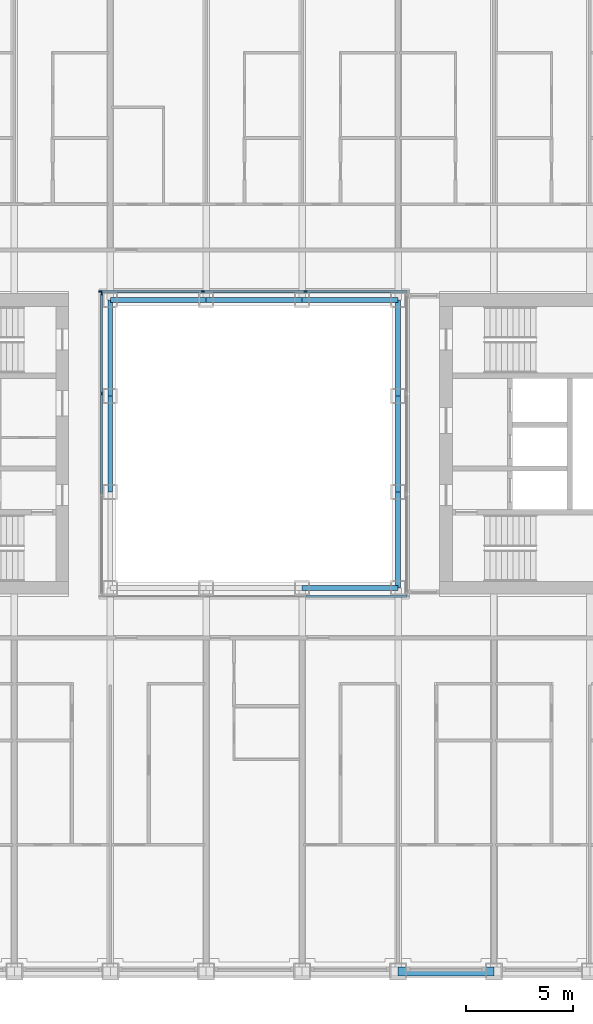
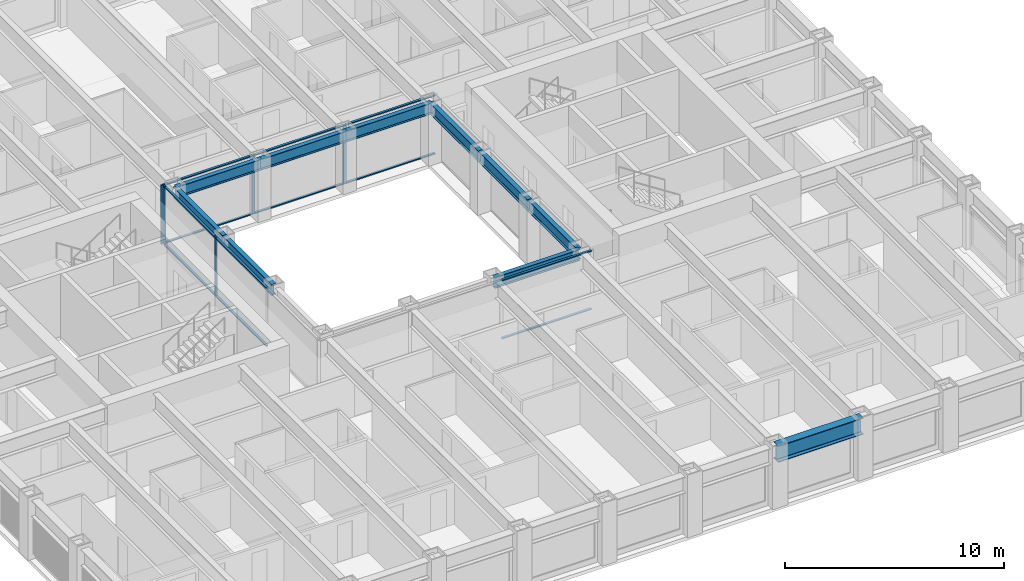
# One storey, part 4 of 21: 17 members, 10 beams, 3 elements without a shape of their own.
"""IFC4 building model written with IfcOpenShell, lengths in metres."""

from ifc_helpers import new_model, si_unit, direction, frame, origin, origin_2d, place, context, subcontext, project, spatial, rectangle, i_section, extrude, material, material_profile, profile_set, type_object, element, aggregate, save


model = new_model("IFC4")

# Units and contexts
model_context = context("Model", 3, precision=1e-05, world=origin(), true_north=direction((0.0, 1.0)))
body_context = subcontext(model_context, "Body", "Model", "MODEL_VIEW")
ifc_project = project(units=[si_unit("LENGTHUNIT", "METRE"), si_unit("AREAUNIT", "SQUARE_METRE"), si_unit("VOLUMEUNIT", "CUBIC_METRE"), si_unit("PLANEANGLEUNIT", "RADIAN"), si_unit("MASSUNIT", "GRAM", prefix="KILO")], contexts=[model_context])

# Site, building, storey
site_placement = place(None, origin())
site = spatial("IfcSite", under=ifc_project, at=site_placement, CompositionType="ELEMENT")
building_placement = place(site_placement, origin())
building = spatial("IfcBuilding", under=site, at=building_placement, Name="Msasa Ring Tower", CompositionType="ELEMENT")
storey_placement = place(building_placement, frame((0.0, 0.0, 72.0)))
storey = spatial("IfcBuildingStorey", under=building, at=storey_placement, Name="L18", CompositionType="ELEMENT", Elevation=72.0)

# Curtain wall, members
ifc_material_1 = material(Name="Aluminium curtain wall with clear glass", Category="aluminium")
curtain_wall_type = type_object("IfcCurtainWallType", Name="CW-W LIGHT WELL CURTAIN WALL", PredefinedType="NOTDEFINED", material=ifc_material_1)
curtain_wall_1_placement = place(storey_placement, origin())
curtain_wall_1 = element("IfcCurtainWall", 1, at=curtain_wall_1_placement, inside=storey, type_object=curtain_wall_type, Name="Light well curtain wall N L18", PredefinedType="NOTDEFINED")
ifc_material_2 = material(Name="Aluminium mullion", Category="aluminium")
ifc_material_profile_1 = material_profile(ifc_material_2, rectangle(XDim=0.06005859375, YDim=0.159912109375, at=origin_2d()), Name="AL 60x160")
ifc_profile_set_1 = profile_set([ifc_material_profile_1], Name="Aluminium mullion")
member_type_1 = type_object("IfcMemberType", Name="CW-W MULLION 60x160", PredefinedType="MULLION", material=ifc_profile_set_1)
member_1_placement = place(storey_placement, frame((-7.199951171875, 7.14990234375, 0.0), z_axis=(0.0, 0.0, 1.0), x_axis=(0.0, 1.0, 0.0)))
member_1 = element("IfcMember", 2, at=member_1_placement, type_object=member_type_1, Name="CW-W mullion 1", PredefinedType="MULLION", context=body_context, shape_type="SweptSolid", body=[
    extrude(rectangle(XDim=0.06005859375, YDim=0.159912109375, at=origin_2d()), origin(), (0.0, 0.0, 1.0), 3.300048828125),
])
member_2_placement = place(storey_placement, frame((-2.409912109375, 7.14990234375, 0.0), z_axis=(0.0, 0.0, 1.0), x_axis=(0.0, 1.0, 0.0)))
member_2 = element("IfcMember", 3, at=member_2_placement, type_object=member_type_1, Name="CW-W mullion 2", PredefinedType="MULLION", context=body_context, shape_type="SweptSolid", body=[
    extrude(rectangle(XDim=0.06005859375, YDim=0.159912109375, at=origin_2d()), origin(), (0.0, 0.0, 1.0), 3.300048828125),
])
member_3_placement = place(storey_placement, frame((2.409912109375, 7.14990234375, 0.0), z_axis=(0.0, 0.0, 1.0), x_axis=(0.0, 1.0, 0.0)))
member_3 = element("IfcMember", 4, at=member_3_placement, type_object=member_type_1, Name="CW-W mullion 3", PredefinedType="MULLION", context=body_context, shape_type="SweptSolid", body=[
    extrude(rectangle(XDim=0.06005859375, YDim=0.159912109375, at=origin_2d()), origin(), (0.0, 0.0, 1.0), 3.300048828125),
])

curtain_wall_2_placement = place(storey_placement, origin())
curtain_wall_2 = element("IfcCurtainWall", 5, at=curtain_wall_2_placement, inside=storey, type_object=curtain_wall_type, Name="Light well curtain wall W L18", PredefinedType="NOTDEFINED")
member_4_placement = place(storey_placement, frame((-7.14990234375, 2.356689453125, 0.0), z_axis=(0.0, 0.0, 1.0), x_axis=(-1.0, 0.0, 0.0)))
member_4 = element("IfcMember", 6, at=member_4_placement, type_object=member_type_1, Name="CW-W mullion 3", PredefinedType="MULLION", context=body_context, shape_type="SweptSolid", body=[
    extrude(rectangle(XDim=0.06005859375, YDim=0.159912109375, at=origin_2d()), origin(), (0.0, 0.0, 1.0), 3.300048828125),
])
member_5_placement = place(storey_placement, frame((-7.14990234375, 7.0400390625, 0.0), z_axis=(0.0, 0.0, 1.0), x_axis=(-1.0, 0.0, 0.0)))
member_5 = element("IfcMember", 7, at=member_5_placement, type_object=member_type_1, Name="CW-W mullion 4", PredefinedType="MULLION", context=body_context, shape_type="SweptSolid", body=[
    extrude(rectangle(XDim=0.06005859375, YDim=0.159912109375, at=origin_2d()), origin(), (0.0, 0.0, 1.0), 3.300048828125),
])

# Member
ifc_material_3 = material(Name="Aluminium transom", Category="aluminium")
ifc_material_profile_2 = material_profile(ifc_material_3, rectangle(XDim=0.1201171875, YDim=0.06005859375, at=origin_2d()), Name="AL 60x120")
ifc_profile_set_2 = profile_set([ifc_material_profile_2], Name="Aluminium transom")
member_type_2 = type_object("IfcMemberType", Name="CW-W TRANSOM 60x120", PredefinedType="USERDEFINED", material=ifc_profile_set_2)
member_6_placement = place(storey_placement, frame((-7.169921875, 7.14990234375, 0.030029296875), z_axis=(1.0, 0.0, 0.0), x_axis=(0.0, 1.0, 0.0)))
member_6 = element("IfcMember", 8, at=member_6_placement, type_object=member_type_2, Name="CW-W transom 1.1", ObjectType="TRANSOM", PredefinedType="USERDEFINED", context=body_context, shape_type="SweptSolid", body=[
    extrude(rectangle(XDim=0.1201171875, YDim=0.06005859375, at=origin_2d()), origin(), (0.0, 0.0, 1.0), 4.72998046875),
])

member_7_placement = place(storey_placement, frame((-7.169921875, 7.14990234375, 3.27001953125), z_axis=(1.0, 0.0, 0.0), x_axis=(0.0, 1.0, 0.0)))
member_7 = element("IfcMember", 9, at=member_7_placement, type_object=member_type_2, Name="CW-W transom 1.2", ObjectType="TRANSOM", PredefinedType="USERDEFINED", context=body_context, shape_type="SweptSolid", body=[
    extrude(rectangle(XDim=0.1201171875, YDim=0.06005859375, at=origin_2d()), origin(), (0.0, 0.0, 1.0), 4.72998046875),
])

member_8_placement = place(storey_placement, frame((-2.3798828125, 7.14990234375, 0.030029296875), z_axis=(1.0, 0.0, 0.0), x_axis=(0.0, 1.0, 0.0)))
member_8 = element("IfcMember", 10, at=member_8_placement, type_object=member_type_2, Name="CW-W transom 2.1", ObjectType="TRANSOM", PredefinedType="USERDEFINED", context=body_context, shape_type="SweptSolid", body=[
    extrude(rectangle(XDim=0.1201171875, YDim=0.06005859375, at=origin_2d()), origin(), (0.0, 0.0, 1.0), 4.759765625),
])

member_9_placement = place(storey_placement, frame((-2.3798828125, 7.14990234375, 3.27001953125), z_axis=(1.0, 0.0, 0.0), x_axis=(0.0, 1.0, 0.0)))
member_9 = element("IfcMember", 11, at=member_9_placement, type_object=member_type_2, Name="CW-W transom 2.2", ObjectType="TRANSOM", PredefinedType="USERDEFINED", context=body_context, shape_type="SweptSolid", body=[
    extrude(rectangle(XDim=0.1201171875, YDim=0.06005859375, at=origin_2d()), origin(), (0.0, 0.0, 1.0), 4.759765625),
])

member_10_placement = place(storey_placement, frame((2.43994140625, 7.14990234375, 0.030029296875), z_axis=(1.0, 0.0, 0.0), x_axis=(0.0, 1.0, 0.0)))
member_10 = element("IfcMember", 12, at=member_10_placement, type_object=member_type_2, Name="CW-W transom 3.1", ObjectType="TRANSOM", PredefinedType="USERDEFINED", context=body_context, shape_type="SweptSolid", body=[
    extrude(rectangle(XDim=0.1201171875, YDim=0.06005859375, at=origin_2d()), origin(), (0.0, 0.0, 1.0), 4.72998046875),
])

member_11_placement = place(storey_placement, frame((2.43994140625, 7.14990234375, 3.27001953125), z_axis=(1.0, 0.0, 0.0), x_axis=(0.0, 1.0, 0.0)))
member_11 = element("IfcMember", 13, at=member_11_placement, type_object=member_type_2, Name="CW-W transom 3.2", ObjectType="TRANSOM", PredefinedType="USERDEFINED", context=body_context, shape_type="SweptSolid", body=[
    extrude(rectangle(XDim=0.1201171875, YDim=0.06005859375, at=origin_2d()), origin(), (0.0, 0.0, 1.0), 4.72998046875),
])

aggregate(curtain_wall_1, [member_1, member_2, member_3, member_6, member_7, member_8, member_9, member_10, member_11])

# Curtain wall, members
curtain_wall_3_placement = place(storey_placement, origin())
curtain_wall_3 = element("IfcCurtainWall", 14, at=curtain_wall_3_placement, inside=storey, type_object=curtain_wall_type, Name="Light well curtain wall S L18", PredefinedType="NOTDEFINED")
member_12_placement = place(storey_placement, frame((2.43994140625, -7.14990234375, 0.030029296875), z_axis=(1.0, 0.0, 0.0), x_axis=(0.0, 1.0, 0.0)))
member_12 = element("IfcMember", 15, at=member_12_placement, type_object=member_type_2, Name="CW-W transom 3.1", ObjectType="TRANSOM", PredefinedType="USERDEFINED", context=body_context, shape_type="SweptSolid", body=[
    extrude(rectangle(XDim=0.1201171875, YDim=0.06005859375, at=origin_2d()), origin(), (0.0, 0.0, 1.0), 4.72998046875),
])
member_13_placement = place(storey_placement, frame((2.43994140625, -7.14990234375, 3.27001953125), z_axis=(1.0, 0.0, 0.0), x_axis=(0.0, 1.0, 0.0)))
member_13 = element("IfcMember", 16, at=member_13_placement, type_object=member_type_2, Name="CW-W transom 3.2", ObjectType="TRANSOM", PredefinedType="USERDEFINED", context=body_context, shape_type="SweptSolid", body=[
    extrude(rectangle(XDim=0.1201171875, YDim=0.06005859375, at=origin_2d()), origin(), (0.0, 0.0, 1.0), 4.72998046875),
])
aggregate(curtain_wall_3, [member_12, member_13])

# Member
member_14_placement = place(storey_placement, frame((-7.14990234375, -2.32666015625, 0.030029296875), z_axis=(0.0, 1.0, 0.0), x_axis=(-1.0, 0.0, 0.0)))
member_14 = element("IfcMember", 17, at=member_14_placement, type_object=member_type_2, Name="CW-W transom 2.1", ObjectType="TRANSOM", PredefinedType="USERDEFINED", context=body_context, shape_type="SweptSolid", body=[
    extrude(rectangle(XDim=0.1201171875, YDim=0.06005859375, at=origin_2d()), origin(), (0.0, 0.0, 1.0), 4.6533203125),
])

member_15_placement = place(storey_placement, frame((-7.14990234375, -2.32666015625, 3.27001953125), z_axis=(0.0, 1.0, 0.0), x_axis=(-1.0, 0.0, 0.0)))
member_15 = element("IfcMember", 18, at=member_15_placement, type_object=member_type_2, Name="CW-W transom 2.2", ObjectType="TRANSOM", PredefinedType="USERDEFINED", context=body_context, shape_type="SweptSolid", body=[
    extrude(rectangle(XDim=0.1201171875, YDim=0.06005859375, at=origin_2d()), origin(), (0.0, 0.0, 1.0), 4.6533203125),
])

member_16_placement = place(storey_placement, frame((-7.14990234375, 2.38671875, 0.030029296875), z_axis=(0.0, 1.0, 0.0), x_axis=(-1.0, 0.0, 0.0)))
member_16 = element("IfcMember", 19, at=member_16_placement, type_object=member_type_2, Name="CW-W transom 3.1", ObjectType="TRANSOM", PredefinedType="USERDEFINED", context=body_context, shape_type="SweptSolid", body=[
    extrude(rectangle(XDim=0.1201171875, YDim=0.06005859375, at=origin_2d()), origin(), (0.0, 0.0, 1.0), 4.623291015625),
])

member_17_placement = place(storey_placement, frame((-7.14990234375, 2.38671875, 3.27001953125), z_axis=(0.0, 1.0, 0.0), x_axis=(-1.0, 0.0, 0.0)))
member_17 = element("IfcMember", 20, at=member_17_placement, type_object=member_type_2, Name="CW-W transom 3.2", ObjectType="TRANSOM", PredefinedType="USERDEFINED", context=body_context, shape_type="SweptSolid", body=[
    extrude(rectangle(XDim=0.1201171875, YDim=0.06005859375, at=origin_2d()), origin(), (0.0, 0.0, 1.0), 4.623291015625),
])

aggregate(curtain_wall_2, [member_4, member_5, member_14, member_15, member_16, member_17])

# Beams
ifc_material_4 = material(Name="Steel S355", Category="steel")
ifc_material_profile_3 = material_profile(ifc_material_4, i_section(OverallWidth=0.230224609375, OverallDepth=0.6171875, WebThickness=0.01318359375, FlangeThickness=0.022216796875, FilletRadius=0.0126953125, at=origin_2d()), Name="UB 610x229x140")
ifc_profile_set_3 = profile_set([ifc_material_profile_3], Name="Steel S355")
beam_type_1 = type_object("IfcBeamType", Name="RB1 UB 610x229x140", PredefinedType="BEAM", material=ifc_profile_set_3)
for number, where, z_axis, x_axis, name in (
    (21, (2.25, -6.75, 2.991455078125), (1.0, 0.0, 0.0), (0.0, 1.0, 0.0), "Inner ring beam IR+2.25-6.75 under L19"),
    (22, (6.75, -6.75, 2.991455078125), (0.0, 1.0, 0.0), (-1.0, 0.0, 0.0), "Inner ring beam IR+6.75-6.75 under L19"),
    (23, (6.75, -2.25, 2.991455078125), (0.0, 1.0, 0.0), (-1.0, 0.0, 0.0), "Inner ring beam IR+6.75-2.25 under L19"),
    (24, (6.75, 2.25, 2.991455078125), (0.0, 1.0, 0.0), (-1.0, 0.0, 0.0), "Inner ring beam IR+6.75+2.25 under L19"),
    (25, (6.75, 6.75, 2.991455078125), (-1.0, 0.0, 0.0), (0.0, -1.0, 0.0), "Inner ring beam IR+6.75+6.75 under L19"),
    (26, (2.25, 6.75, 2.991455078125), (-1.0, 0.0, 0.0), (0.0, -1.0, 0.0), "Inner ring beam IR+2.25+6.75 under L19"),
    (27, (-2.25, 6.75, 2.991455078125), (-1.0, 0.0, 0.0), (0.0, -1.0, 0.0), "Inner ring beam IR-2.25+6.75 under L19"),
    (28, (-6.75, 6.75, 2.991455078125), (0.0, -1.0, 0.0), (1.0, 0.0, 0.0), "Inner ring beam IR-6.75+6.75 under L19"),
    (29, (-6.75, 2.25, 2.991455078125), (0.0, -1.0, 0.0), (1.0, 0.0, 0.0), "Inner ring beam IR-6.75+2.25 under L19"),
):
    element("IfcBeam", number, at=place(storey_placement, frame(where, z_axis=z_axis, x_axis=x_axis)), inside=storey, type_object=beam_type_1, Name=name, PredefinedType="BEAM", context=body_context, shape_type="SweptSolid", body=[
        extrude(i_section(OverallWidth=0.230224609375, OverallDepth=0.6171875, WebThickness=0.01318359375, FlangeThickness=0.022216796875, FilletRadius=0.0126953125, at=origin_2d()), origin(), (0.0, 0.0, 1.0), 4.5),
    ])
ifc_material_5 = material(Name="Steel S355", Category="steel")
ifc_material_profile_4 = material_profile(ifc_material_5, i_section(OverallWidth=0.42041015625, OverallDepth=0.9208984375, WebThickness=0.021484375, FlangeThickness=0.03662109375, FilletRadius=0.024169921875, at=origin_2d()), Name="UB 914x419x388")
ifc_profile_set_4 = profile_set([ifc_material_profile_4], Name="Steel S355")
beam_type_2 = type_object("IfcBeamType", Name="SB1 UB 914x419x388", PredefinedType="SPANDREL", material=ifc_profile_set_4)
beam_placement = place(storey_placement, frame((6.75, -24.75, 2.839599609375), z_axis=(1.0, 0.0, 0.0), x_axis=(0.0, 1.0, 0.0)))
element("IfcBeam", 30, at=beam_placement, inside=storey, type_object=beam_type_2, Name="Spandrel S+6.75 to S+11.25 under L19", PredefinedType="SPANDREL", context=body_context, shape_type="SweptSolid", body=[
    extrude(i_section(OverallWidth=0.42041015625, OverallDepth=0.9208984375, WebThickness=0.021484375, FlangeThickness=0.03662109375, FilletRadius=0.024169921875, at=origin_2d()), origin(), (0.0, 0.0, 1.0), 4.5),
])

save(model, "model.ifc")
